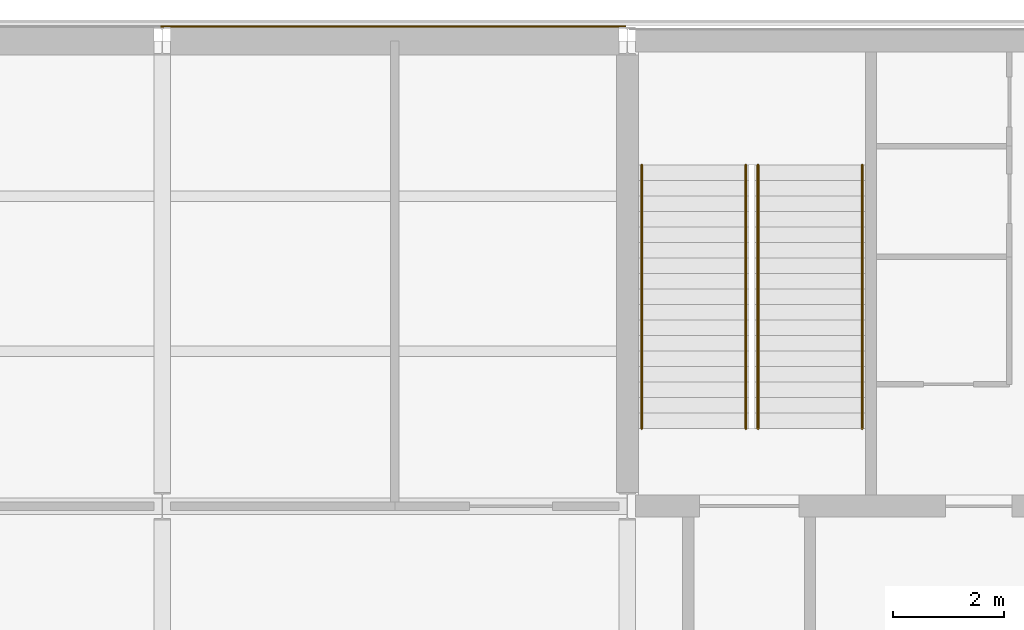
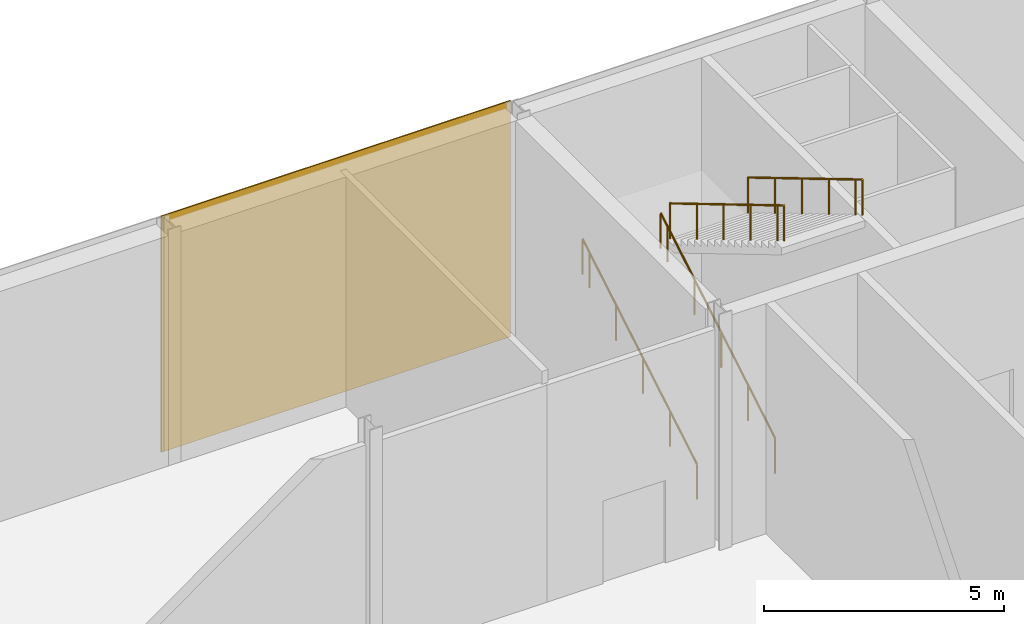
# One storey, part 47 of 55: 4 railings, 2 coverings.
"""IFC4 building model written with IfcOpenShell, lengths in metres."""

from ifc_helpers import new_model, si_unit, direction, frame, origin, origin_2d, place, context, subcontext, project, spatial, rectangle, circle, extrude, material, layer, layer_set, type_object, element, save


model = new_model("IFC4")

# Units and contexts
model_context = context("Model", 3, precision=1e-05, world=origin(), true_north=direction((0.0, 1.0)))
body_context = subcontext(model_context, "Body", "Model", "MODEL_VIEW")
ifc_project = project(units=[si_unit("LENGTHUNIT", "METRE"), si_unit("AREAUNIT", "SQUARE_METRE"), si_unit("VOLUMEUNIT", "CUBIC_METRE"), si_unit("PLANEANGLEUNIT", "RADIAN"), si_unit("MASSUNIT", "GRAM", prefix="KILO")], contexts=[model_context])

# Site, building, storey
site_placement = place(None, origin())
site = spatial("IfcSite", under=ifc_project, at=site_placement, CompositionType="ELEMENT")
building_placement = place(site_placement, origin())
building = spatial("IfcBuilding", under=site, at=building_placement, Name="Galleria Vessillo Department Store", CompositionType="ELEMENT")
storey_placement = place(building_placement, origin())
storey = spatial("IfcBuildingStorey", under=building, at=storey_placement, Name="L00", CompositionType="ELEMENT", Elevation=0.0)

# Coverings
ifc_material_1 = material(Name="Lime plaster (intonaco) ochre")
ifc_layer = layer(ifc_material_1, 0.030029296875)
ifc_layer_set = layer_set([ifc_layer], Name="Lime plaster (intonaco) ochre")
covering_type = type_object("IfcCoveringType", Name="Lime plaster render 30 mm", PredefinedType="CLADDING", material=ifc_layer_set)
covering_1_placement = place(storey_placement, frame((54.60009765625, 63.264892578125, 0.0), z_axis=(0.0, 0.0, 1.0), x_axis=(1.0, 0.0, 0.0)))
element("IfcCovering", 1, at=covering_1_placement, inside=storey, type_object=covering_type, Name="Wall cladding S-PN-L00-05", PredefinedType="CLADDING", context=body_context, shape_type="SweptSolid", body=[
    extrude(rectangle(XDim=8.34033203125, YDim=0.030029296875, at=origin_2d()), origin(), (0.0, 0.0, 1.0), 6.0),
])
covering_2_placement = place(storey_placement, frame((50.39990234375, 63.264892578125, 0.0), z_axis=(0.0, 0.0, 1.0), x_axis=(1.0, 0.0, 0.0)))
element("IfcCovering", 2, at=covering_2_placement, inside=storey, type_object=covering_type, Name="Joint block Wall cladding S-PN-L00-04", PredefinedType="CLADDING", context=body_context, shape_type="SweptSolid", body=[
    extrude(rectangle(XDim=0.059814453125, YDim=0.030029296875, at=origin_2d()), origin(), (0.0, 0.0, 1.0), 6.0),
])

# Railings
ifc_material_2 = material(Name="Stainless steel tube", Category="steel")
railing_type = type_object("IfcRailingType", Name="Stair handrail steel tube 48 mm", PredefinedType="HANDRAIL", material=ifc_material_2)
railing_1_placement = place(storey_placement, frame((59.06005859375, 56.0, 0.166748046875)))
element("IfcRailing", 3, at=railing_1_placement, inside=storey, type_object=railing_type, Name="Handrail ST11 L00 flight 1A", PredefinedType="HANDRAIL", context=body_context, shape_type="SweptSolid", body=[
    extrude(circle(Radius=0.02392578125, at=origin_2d()), frame((0.0, 0.0, 0.89599609375), z_axis=(0.0, 0.859371278866, 0.511352134112), x_axis=(-1.0, 0.0, 0.0)), (0.0, 0.0, 1.0), 1.303466796875),
    extrude(circle(Radius=0.02392578125, at=origin_2d()), frame((0.0, 1.1201171875, 1.5625), z_axis=(0.0, 0.859239953289, 0.511572773584), x_axis=(-1.0, 0.0, 0.0)), (0.0, 0.0, 1.0), 1.30322265625),
    extrude(circle(Radius=0.02392578125, at=origin_2d()), frame((0.0, 2.239990234375, 2.22900390625), z_axis=(0.0, 0.859288964532, 0.511490445104), x_axis=(-1.0, 0.0, 0.0)), (0.0, 0.0, 1.0), 1.303466796875),
    extrude(circle(Radius=0.02392578125, at=origin_2d()), frame((0.0, 3.360107421875, 2.89599609375), z_axis=(0.0, 0.85932228943, 0.511434456103), x_axis=(-1.0, 0.0, 0.0)), (0.0, 0.0, 1.0), 1.30322265625),
    extrude(circle(Radius=0.02392578125, at=origin_2d()), frame((0.0, 4.47998046875, 3.5625), z_axis=(0.0, 0.859206643714, 0.511628716353), x_axis=(-1.0, 0.0, 0.0)), (0.0, 0.0, 1.0), 0.325927734375),
    extrude(circle(Radius=0.02099609375, at=origin_2d()), origin(), (0.0, 0.0, 1.0), 0.871826171875),
    extrude(circle(Radius=0.02099609375, at=origin_2d()), frame((0.0, 1.1201171875, 0.66650390625)), (0.0, 0.0, 1.0), 0.871826171875),
    extrude(circle(Radius=0.02099609375, at=origin_2d()), frame((0.0, 2.239990234375, 1.333251953125)), (0.0, 0.0, 1.0), 0.871826171875),
    extrude(circle(Radius=0.02099609375, at=origin_2d()), frame((0.0, 3.360107421875, 2.0)), (0.0, 0.0, 1.0), 0.871826171875),
    extrude(circle(Radius=0.02099609375, at=origin_2d()), frame((0.0, 4.47998046875, 2.66650390625)), (0.0, 0.0, 1.0), 0.871826171875),
    extrude(circle(Radius=0.02099609375, at=origin_2d()), frame((0.0, 4.760009765625, 2.833251953125)), (0.0, 0.0, 1.0), 0.871826171875),
])
railing_2_placement = place(storey_placement, frame((60.93994140625, 56.0, 0.166748046875)))
element("IfcRailing", 4, at=railing_2_placement, inside=storey, type_object=railing_type, Name="Handrail ST11 L00 flight 1B", PredefinedType="HANDRAIL", context=body_context, shape_type="SweptSolid", body=[
    extrude(circle(Radius=0.02392578125, at=origin_2d()), frame((0.0, 0.0, 0.89599609375), z_axis=(0.0, 0.859371278866, 0.511352134112), x_axis=(-1.0, 0.0, 0.0)), (0.0, 0.0, 1.0), 1.303466796875),
    extrude(circle(Radius=0.02392578125, at=origin_2d()), frame((0.0, 1.1201171875, 1.5625), z_axis=(0.0, 0.859239953289, 0.511572773584), x_axis=(-1.0, 0.0, 0.0)), (0.0, 0.0, 1.0), 1.30322265625),
    extrude(circle(Radius=0.02392578125, at=origin_2d()), frame((0.0, 2.239990234375, 2.22900390625), z_axis=(0.0, 0.859288964532, 0.511490445104), x_axis=(-1.0, 0.0, 0.0)), (0.0, 0.0, 1.0), 1.303466796875),
    extrude(circle(Radius=0.02392578125, at=origin_2d()), frame((0.0, 3.360107421875, 2.89599609375), z_axis=(0.0, 0.85932228943, 0.511434456103), x_axis=(-1.0, 0.0, 0.0)), (0.0, 0.0, 1.0), 1.30322265625),
    extrude(circle(Radius=0.02392578125, at=origin_2d()), frame((0.0, 4.47998046875, 3.5625), z_axis=(0.0, 0.859206643714, 0.511628716353), x_axis=(-1.0, 0.0, 0.0)), (0.0, 0.0, 1.0), 0.325927734375),
    extrude(circle(Radius=0.02099609375, at=origin_2d()), origin(), (0.0, 0.0, 1.0), 0.871826171875),
    extrude(circle(Radius=0.02099609375, at=origin_2d()), frame((0.0, 1.1201171875, 0.66650390625)), (0.0, 0.0, 1.0), 0.871826171875),
    extrude(circle(Radius=0.02099609375, at=origin_2d()), frame((0.0, 2.239990234375, 1.333251953125)), (0.0, 0.0, 1.0), 0.871826171875),
    extrude(circle(Radius=0.02099609375, at=origin_2d()), frame((0.0, 3.360107421875, 2.0)), (0.0, 0.0, 1.0), 0.871826171875),
    extrude(circle(Radius=0.02099609375, at=origin_2d()), frame((0.0, 4.47998046875, 2.66650390625)), (0.0, 0.0, 1.0), 0.871826171875),
    extrude(circle(Radius=0.02099609375, at=origin_2d()), frame((0.0, 4.760009765625, 2.833251953125)), (0.0, 0.0, 1.0), 0.871826171875),
])
railing_3_placement = place(storey_placement, frame((63.0400390625, 60.760009765625, 3.166748046875)))
element("IfcRailing", 5, at=railing_3_placement, inside=storey, type_object=railing_type, Name="Handrail ST11 L00 flight 2A", PredefinedType="HANDRAIL", context=body_context, shape_type="SweptSolid", body=[
    extrude(circle(Radius=0.02392578125, at=origin_2d()), frame((0.0, 0.0, 0.89599609375), z_axis=(0.0, -0.859371278866, 0.511352134112), x_axis=(1.0, 0.0, 0.0)), (0.0, 0.0, 1.0), 1.303466796875),
    extrude(circle(Radius=0.02392578125, at=origin_2d()), frame((0.0, -1.1201171875, 1.5625), z_axis=(0.0, -0.859239953289, 0.511572773584), x_axis=(1.0, 0.0, 0.0)), (0.0, 0.0, 1.0), 1.30322265625),
    extrude(circle(Radius=0.02392578125, at=origin_2d()), frame((0.0, -2.239990234375, 2.22900390625), z_axis=(0.0, -0.859288964532, 0.511490445104), x_axis=(1.0, 0.0, 0.0)), (0.0, 0.0, 1.0), 1.303466796875),
    extrude(circle(Radius=0.02392578125, at=origin_2d()), frame((0.0, -3.360107421875, 2.89599609375), z_axis=(0.0, -0.85932228943, 0.511434456103), x_axis=(1.0, 0.0, 0.0)), (0.0, 0.0, 1.0), 1.30322265625),
    extrude(circle(Radius=0.02392578125, at=origin_2d()), frame((0.0, -4.47998046875, 3.5625), z_axis=(0.0, -0.859206643714, 0.511628716353), x_axis=(1.0, 0.0, 0.0)), (0.0, 0.0, 1.0), 0.325927734375),
    extrude(circle(Radius=0.02099609375, at=origin_2d()), origin(), (0.0, 0.0, 1.0), 0.871826171875),
    extrude(circle(Radius=0.02099609375, at=origin_2d()), frame((0.0, -1.1201171875, 0.66650390625)), (0.0, 0.0, 1.0), 0.871826171875),
    extrude(circle(Radius=0.02099609375, at=origin_2d()), frame((0.0, -2.239990234375, 1.333251953125)), (0.0, 0.0, 1.0), 0.871826171875),
    extrude(circle(Radius=0.02099609375, at=origin_2d()), frame((0.0, -3.360107421875, 2.0)), (0.0, 0.0, 1.0), 0.871826171875),
    extrude(circle(Radius=0.02099609375, at=origin_2d()), frame((0.0, -4.47998046875, 2.66650390625)), (0.0, 0.0, 1.0), 0.871826171875),
    extrude(circle(Radius=0.02099609375, at=origin_2d()), frame((0.0, -4.760009765625, 2.833251953125)), (0.0, 0.0, 1.0), 0.871826171875),
])
railing_4_placement = place(storey_placement, frame((61.16015625, 60.760009765625, 3.166748046875)))
element("IfcRailing", 6, at=railing_4_placement, inside=storey, type_object=railing_type, Name="Handrail ST11 L00 flight 2B", PredefinedType="HANDRAIL", context=body_context, shape_type="SweptSolid", body=[
    extrude(circle(Radius=0.02392578125, at=origin_2d()), frame((0.0, 0.0, 0.89599609375), z_axis=(0.0, -0.859371278866, 0.511352134112), x_axis=(1.0, 0.0, 0.0)), (0.0, 0.0, 1.0), 1.303466796875),
    extrude(circle(Radius=0.02392578125, at=origin_2d()), frame((0.0, -1.1201171875, 1.5625), z_axis=(0.0, -0.859239953289, 0.511572773584), x_axis=(1.0, 0.0, 0.0)), (0.0, 0.0, 1.0), 1.30322265625),
    extrude(circle(Radius=0.02392578125, at=origin_2d()), frame((0.0, -2.239990234375, 2.22900390625), z_axis=(0.0, -0.859288964532, 0.511490445104), x_axis=(1.0, 0.0, 0.0)), (0.0, 0.0, 1.0), 1.303466796875),
    extrude(circle(Radius=0.02392578125, at=origin_2d()), frame((0.0, -3.360107421875, 2.89599609375), z_axis=(0.0, -0.85932228943, 0.511434456103), x_axis=(1.0, 0.0, 0.0)), (0.0, 0.0, 1.0), 1.30322265625),
    extrude(circle(Radius=0.02392578125, at=origin_2d()), frame((0.0, -4.47998046875, 3.5625), z_axis=(0.0, -0.859206643714, 0.511628716353), x_axis=(1.0, 0.0, 0.0)), (0.0, 0.0, 1.0), 0.325927734375),
    extrude(circle(Radius=0.02099609375, at=origin_2d()), origin(), (0.0, 0.0, 1.0), 0.871826171875),
    extrude(circle(Radius=0.02099609375, at=origin_2d()), frame((0.0, -1.1201171875, 0.66650390625)), (0.0, 0.0, 1.0), 0.871826171875),
    extrude(circle(Radius=0.02099609375, at=origin_2d()), frame((0.0, -2.239990234375, 1.333251953125)), (0.0, 0.0, 1.0), 0.871826171875),
    extrude(circle(Radius=0.02099609375, at=origin_2d()), frame((0.0, -3.360107421875, 2.0)), (0.0, 0.0, 1.0), 0.871826171875),
    extrude(circle(Radius=0.02099609375, at=origin_2d()), frame((0.0, -4.47998046875, 2.66650390625)), (0.0, 0.0, 1.0), 0.871826171875),
    extrude(circle(Radius=0.02099609375, at=origin_2d()), frame((0.0, -4.760009765625, 2.833251953125)), (0.0, 0.0, 1.0), 0.871826171875),
])

save(model, "model.ifc")
